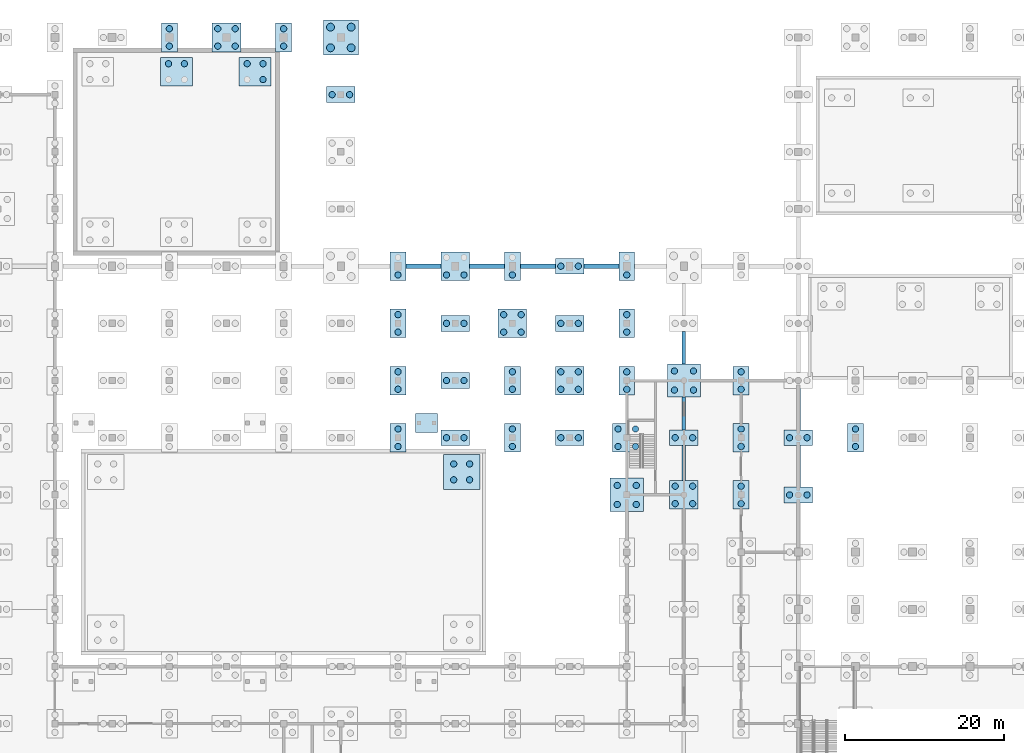
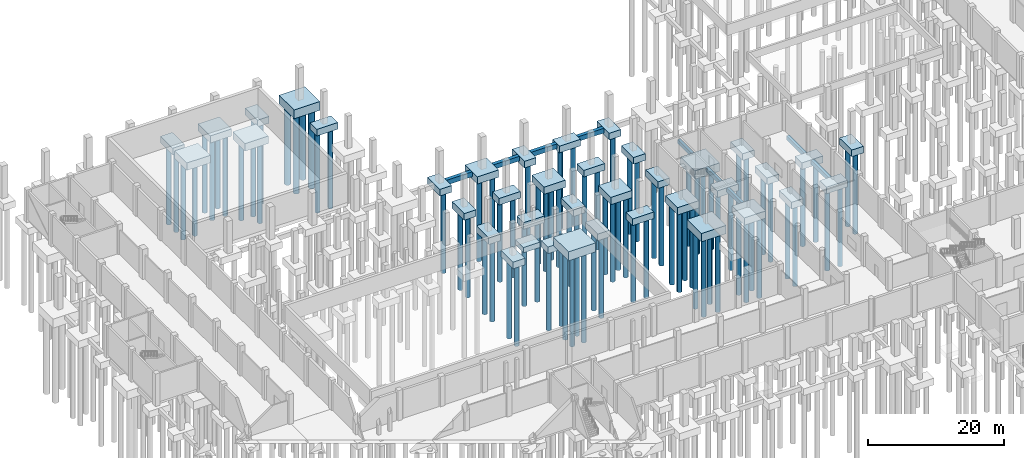
# One storey, part 5 of 35: 92 piles, 48 footings.
"""IFC4 building model written with IfcOpenShell, lengths in metres."""

from ifc_helpers import new_model, si_unit, direction, frame, origin, origin_2d, place, context, subcontext, project, spatial, polyline, rectangle, circle, outline, extrude, material, material_profile, profile_set, type_object, element, save


model = new_model("IFC4")

# Units and contexts
model_context = context("Model", 3, precision=1e-05, world=origin(), true_north=direction((0.0, 1.0)))
body_context = subcontext(model_context, "Body", "Model", "MODEL_VIEW")
ifc_project = project(units=[si_unit("LENGTHUNIT", "METRE"), si_unit("AREAUNIT", "SQUARE_METRE"), si_unit("VOLUMEUNIT", "CUBIC_METRE"), si_unit("PLANEANGLEUNIT", "RADIAN"), si_unit("MASSUNIT", "GRAM", prefix="KILO")], contexts=[model_context])

# Site, building, storey
site_placement = place(None, origin())
site = spatial("IfcSite", under=ifc_project, at=site_placement, CompositionType="ELEMENT")
building_placement = place(site_placement, origin())
building = spatial("IfcBuilding", under=site, at=building_placement, Name="Vesperath Aquatics Centre", CompositionType="ELEMENT")
storey_placement = place(building_placement, frame((0.0, 0.0, -5.39990234375)))
storey = spatial("IfcBuildingStorey", under=building, at=storey_placement, Name="B1", CompositionType="ELEMENT", Elevation=-5.39990234375)

# Footings
ifc_material_1 = material(Name="Concrete C40", Category="concrete")
footing_type_1 = type_object("IfcFootingType", Name="FT-GB01", PredefinedType="FOOTING_BEAM", material=ifc_material_1)
footing_1_placement = place(storey_placement, frame((0.0, 0.0, -1.150146484375)))
element("IfcFooting", 1, at=footing_1_placement, inside=storey, type_object=footing_type_1, Name="Foundation Ground Beam GB01 15 J-K", PredefinedType="FOOTING_BEAM", context=body_context, shape_type="SweptSolid", body=[
    extrude(outline(polyline([(100.574951171875, 59.39990234375), (101.02490234375, 59.39990234375), (101.02490234375, 63.800048828125), (100.574951171875, 63.800048828125), (100.574951171875, 59.39990234375)])), origin(), (0.0, 0.0, 1.0), 0.699951171875),
])
footing_2_placement = place(storey_placement, frame((0.0, 0.0, -1.150146484375)))
element("IfcFooting", 2, at=footing_2_placement, inside=storey, type_object=footing_type_1, Name="Foundation Ground Beam GB01 15 K-L", PredefinedType="FOOTING_BEAM", context=body_context, shape_type="SweptSolid", body=[
    extrude(outline(polyline([(100.574951171875, 65.800048828125), (101.02490234375, 65.800048828125), (101.02490234375, 69.89990234375), (100.574951171875, 69.89990234375), (100.574951171875, 65.800048828125)])), origin(), (0.0, 0.0, 1.0), 0.699951171875),
])
footing_3_placement = place(storey_placement, frame((0.0, 0.0, -1.150146484375)))
element("IfcFooting", 3, at=footing_3_placement, inside=storey, type_object=footing_type_1, Name="Foundation Ground Beam GB01 15 L-M", PredefinedType="FOOTING_BEAM", context=body_context, shape_type="SweptSolid", body=[
    extrude(outline(polyline([(100.574951171875, 74.10009765625), (101.02490234375, 74.10009765625), (101.02490234375, 78.199951171875), (100.574951171875, 78.199951171875), (100.574951171875, 74.10009765625)])), origin(), (0.0, 0.0, 1.0), 0.699951171875),
])
footing_type_2 = type_object("IfcFootingType", Name="FT-GB02", PredefinedType="FOOTING_BEAM", material=ifc_material_1)
footing_4_placement = place(storey_placement, frame((0.0, 0.0, -1.2001953125)))
element("IfcFooting", 4, at=footing_4_placement, inside=storey, type_object=footing_type_2, Name="Foundation Ground Beam GB02 17 J-K", PredefinedType="FOOTING_BEAM", context=body_context, shape_type="SweptSolid", body=[
    extrude(outline(polyline([(114.949951171875, 58.60009765625), (115.449951171875, 58.60009765625), (115.449951171875, 63.800048828125), (114.949951171875, 63.800048828125), (114.949951171875, 58.60009765625)])), origin(), (0.0, 0.0, 1.0), 0.75),
])
footing_5_placement = place(storey_placement, frame((0.0, 0.0, -1.2001953125)))
element("IfcFooting", 5, at=footing_5_placement, inside=storey, type_object=footing_type_2, Name="Foundation Ground Beam GB02 17 K-L", PredefinedType="FOOTING_BEAM", context=body_context, shape_type="SweptSolid", body=[
    extrude(outline(polyline([(114.949951171875, 65.800048828125), (115.449951171875, 65.800048828125), (115.449951171875, 71.0), (114.949951171875, 71.0), (114.949951171875, 65.800048828125)])), origin(), (0.0, 0.0, 1.0), 0.75),
])
footing_type_3 = type_object("IfcFootingType", Name="FT-GB03", PredefinedType="FOOTING_BEAM", material=ifc_material_1)
footing_6_placement = place(storey_placement, frame((0.0, 0.0, -1.300048828125)))
element("IfcFooting", 6, at=footing_6_placement, inside=storey, type_object=footing_type_3, Name="Foundation Ground Beam GB03 N 10-11", PredefinedType="FOOTING_BEAM", context=body_context, shape_type="SweptSolid", body=[
    extrude(outline(polyline([(65.800048828125, 86.10009765625), (70.199951171875, 86.10009765625), (70.199951171875, 86.699951171875), (65.800048828125, 86.699951171875), (65.800048828125, 86.10009765625)])), origin(), (0.0, 0.0, 1.0), 0.849853515625),
])
footing_7_placement = place(storey_placement, frame((0.0, 0.0, -1.300048828125)))
element("IfcFooting", 7, at=footing_7_placement, inside=storey, type_object=footing_type_3, Name="Foundation Ground Beam GB03 N 11-12", PredefinedType="FOOTING_BEAM", context=body_context, shape_type="SweptSolid", body=[
    extrude(outline(polyline([(73.800048828125, 86.10009765625), (78.199951171875, 86.10009765625), (78.199951171875, 86.699951171875), (73.800048828125, 86.699951171875), (73.800048828125, 86.10009765625)])), origin(), (0.0, 0.0, 1.0), 0.849853515625),
])
footing_8_placement = place(storey_placement, frame((0.0, 0.0, -1.300048828125)))
element("IfcFooting", 8, at=footing_8_placement, inside=storey, type_object=footing_type_3, Name="Foundation Ground Beam GB03 N 12-13", PredefinedType="FOOTING_BEAM", context=body_context, shape_type="SweptSolid", body=[
    extrude(outline(polyline([(80.199951171875, 86.10009765625), (84.60009765625, 86.10009765625), (84.60009765625, 86.699951171875), (80.199951171875, 86.699951171875), (80.199951171875, 86.10009765625)])), origin(), (0.0, 0.0, 1.0), 0.849853515625),
])
footing_9_placement = place(storey_placement, frame((0.0, 0.0, -1.300048828125)))
element("IfcFooting", 9, at=footing_9_placement, inside=storey, type_object=footing_type_3, Name="Foundation Ground Beam GB03 N 13-14", PredefinedType="FOOTING_BEAM", context=body_context, shape_type="SweptSolid", body=[
    extrude(outline(polyline([(88.199951171875, 86.10009765625), (92.60009765625, 86.10009765625), (92.60009765625, 86.699951171875), (88.199951171875, 86.699951171875), (88.199951171875, 86.10009765625)])), origin(), (0.0, 0.0, 1.0), 0.849853515625),
])
footing_type_4 = type_object("IfcFootingType", Name="FT-PC01", PredefinedType="PILE_CAP", material=ifc_material_1)
for number, where, z_axis, x_axis, name in (
    (10, (57.60009765625, 108.0, -1.64990234375), (0.0, 0.0, 1.0), (1.0, 0.0, 0.0), "Pile Cap PC01 at 9/R"),
    (11, (72.0, 64.800048828125, -1.64990234375), (0.0, 0.0, 1.0), (1.0, 0.0, 0.0), "Pile Cap PC01 at 11/K"),
    (12, (72.0, 72.0, -1.64990234375), (0.0, 0.0, 1.0), (1.0, 0.0, 0.0), "Pile Cap PC01 at 11/L"),
    (13, (72.0, 79.199951171875, -1.64990234375), (0.0, 0.0, 1.0), (1.0, 0.0, 0.0), "Pile Cap PC01 at 11/M"),
    (14, (86.39990234375, 64.800048828125, -1.64990234375), (0.0, 0.0, 1.0), (1.0, 0.0, 0.0), "Pile Cap PC01 at 13/K"),
    (15, (86.39990234375, 79.199951171875, -1.64990234375), (0.0, 0.0, 1.0), (1.0, 0.0, 0.0), "Pile Cap PC01 at 13/M"),
    (16, (86.39990234375, 86.39990234375, -1.64990234375), (0.0, 0.0, 1.0), (1.0, 0.0, 0.0), "Pile Cap PC01 at 13/N"),
    (17, (100.800048828125, 64.800048828125, -1.64990234375), (0.0, 0.0, 1.0), (1.0, 0.0, 0.0), "Pile Cap PC01 at 15/K"),
    (18, (115.199951171875, 57.60009765625, -1.64990234375), (0.0, 0.0, 1.0), (1.0, 0.0, 0.0), "Pile Cap PC01 at 17/J"),
    (19, (115.199951171875, 64.800048828125, -1.64990234375), (0.0, 0.0, 1.0), (1.0, 0.0, 0.0), "Pile Cap PC01 at 17/K"),
):
    element("IfcFooting", number, at=place(storey_placement, frame(where, z_axis=z_axis, x_axis=x_axis)), inside=storey, type_object=footing_type_4, Name=name, PredefinedType="PILE_CAP", context=body_context, shape_type="SweptSolid", body=[
        extrude(rectangle(XDim=3.60009765625, YDim=2.0, at=origin_2d()), origin(), (0.0, 0.0, 1.0), 1.199951171875),
    ])
footing_type_5 = type_object("IfcFootingType", Name="FT-PC02", PredefinedType="PILE_CAP", material=ifc_material_1)
for number, where, z_axis, x_axis, name in (
    (20, (36.0, 115.199951171875, -1.64990234375), (0.0, 0.0, 1.0), (1.0, 0.0, 0.0), "Pile Cap PC02 at 6/S"),
    (21, (50.39990234375, 115.199951171875, -1.64990234375), (0.0, 0.0, 1.0), (1.0, 0.0, 0.0), "Pile Cap PC02 at 8/S"),
    (22, (64.800048828125, 64.800048828125, -1.64990234375), (0.0, 0.0, 1.0), (1.0, 0.0, 0.0), "Pile Cap PC02 at 10/K"),
    (23, (64.800048828125, 72.0, -1.64990234375), (0.0, 0.0, 1.0), (1.0, 0.0, 0.0), "Pile Cap PC02 at 10/L"),
    (24, (64.800048828125, 79.199951171875, -1.64990234375), (0.0, 0.0, 1.0), (1.0, 0.0, 0.0), "Pile Cap PC02 at 10/M"),
    (25, (64.800048828125, 86.39990234375, -1.64990234375), (0.0, 0.0, 1.0), (1.0, 0.0, 0.0), "Pile Cap PC02 at 10/N"),
    (26, (79.199951171875, 64.800048828125, -1.64990234375), (0.0, 0.0, 1.0), (1.0, 0.0, 0.0), "Pile Cap PC02 at 12/K"),
    (27, (79.199951171875, 72.0, -1.64990234375), (0.0, 0.0, 1.0), (1.0, 0.0, 0.0), "Pile Cap PC02 at 12/L"),
    (28, (79.199951171875, 86.39990234375, -1.64990234375), (0.0, 0.0, 1.0), (1.0, 0.0, 0.0), "Pile Cap PC02 at 12/N"),
    (29, (93.60009765625, 72.0, -1.64990234375), (0.0, 0.0, 1.0), (1.0, 0.0, 0.0), "Pile Cap PC02 at 14/L"),
    (30, (93.60009765625, 79.199951171875, -1.64990234375), (0.0, 0.0, 1.0), (1.0, 0.0, 0.0), "Pile Cap PC02 at 14/M"),
    (31, (93.60009765625, 86.39990234375, -1.64990234375), (0.0, 0.0, 1.0), (1.0, 0.0, 0.0), "Pile Cap PC02 at 14/N"),
    (32, (108.0, 57.60009765625, -1.64990234375), (0.0, 0.0, 1.0), (1.0, 0.0, 0.0), "Pile Cap PC02 at 16/J"),
    (33, (108.0, 64.800048828125, -1.64990234375), (0.0, 0.0, 1.0), (1.0, 0.0, 0.0), "Pile Cap PC02 at 16/K"),
    (34, (108.0, 72.0, -1.64990234375), (0.0, 0.0, 1.0), (1.0, 0.0, 0.0), "Pile Cap PC02 at 16/L"),
    (35, (122.39990234375, 64.800048828125, -1.64990234375), (0.0, 0.0, 1.0), (1.0, 0.0, 0.0), "Pile Cap PC02 at 18/K"),
):
    element("IfcFooting", number, at=place(storey_placement, frame(where, z_axis=z_axis, x_axis=x_axis)), inside=storey, type_object=footing_type_5, Name=name, PredefinedType="PILE_CAP", context=body_context, shape_type="SweptSolid", body=[
        extrude(rectangle(XDim=2.0, YDim=3.60009765625, at=origin_2d()), origin(), (0.0, 0.0, 1.0), 1.199951171875),
    ])
footing_type_6 = type_object("IfcFootingType", Name="FT-PC03", PredefinedType="PILE_CAP", material=ifc_material_1)
for number, where, z_axis, x_axis, name in (
    (36, (43.199951171875, 115.199951171875, -1.75), (0.0, 0.0, 1.0), (1.0, 0.0, 0.0), "Pile Cap PC03 at 7/S"),
    (37, (72.0, 86.39990234375, -1.75), (0.0, 0.0, 1.0), (1.0, 0.0, 0.0), "Pile Cap PC03 at 11/N"),
    (38, (79.199951171875, 79.199951171875, -1.75), (0.0, 0.0, 1.0), (1.0, 0.0, 0.0), "Pile Cap PC03 at 12/M"),
    (39, (86.39990234375, 72.0, -1.75), (0.0, 0.0, 1.0), (1.0, 0.0, 0.0), "Pile Cap PC03 at 13/L"),
    (40, (93.60009765625, 64.800048828125, -1.75), (0.0, 0.0, 1.0), (1.0, 0.0, 0.0), "Pile Cap PC03 at 14/K"),
    (41, (100.800048828125, 57.60009765625, -1.75), (0.0, 0.0, 1.0), (1.0, 0.0, 0.0), "Pile Cap PC03 at 15/J"),
):
    element("IfcFooting", number, at=place(storey_placement, frame(where, z_axis=z_axis, x_axis=x_axis)), inside=storey, type_object=footing_type_6, Name=name, PredefinedType="PILE_CAP", context=body_context, shape_type="SweptSolid", body=[
        extrude(rectangle(XDim=3.60009765625, YDim=3.60009765625, at=origin_2d()), origin(), (0.0, 0.0, 1.0), 1.300048828125),
    ])
footing_type_7 = type_object("IfcFootingType", Name="FT-PC06", PredefinedType="PILE_CAP", material=ifc_material_1)
for number, where, z_axis, x_axis, name in (
    (42, (93.60009765625, 57.60009765625, -1.9501953125), (0.0, 0.0, 1.0), (1.0, 0.0, 0.0), "Pile Cap PC06 at 14/J"),
    (43, (100.800048828125, 72.0, -1.9501953125), (0.0, 0.0, 1.0), (1.0, 0.0, 0.0), "Pile Cap PC06 at 15/L"),
):
    element("IfcFooting", number, at=place(storey_placement, frame(where, z_axis=z_axis, x_axis=x_axis)), inside=storey, type_object=footing_type_7, Name=name, PredefinedType="PILE_CAP", context=body_context, shape_type="SweptSolid", body=[
        extrude(rectangle(XDim=4.199951171875, YDim=4.199951171875, at=origin_2d()), origin(), (0.0, 0.0, 1.0), 1.5),
    ])
footing_type_8 = type_object("IfcFootingType", Name="FT-PC07", PredefinedType="PILE_CAP", material=ifc_material_1)
footing_10_placement = place(storey_placement, frame((57.60009765625, 115.199951171875, -2.050048828125), z_axis=(0.0, 0.0, 1.0), x_axis=(1.0, 0.0, 0.0)))
element("IfcFooting", 44, at=footing_10_placement, inside=storey, type_object=footing_type_8, Name="Pile Cap PC07 at 9/S", PredefinedType="PILE_CAP", context=body_context, shape_type="SweptSolid", body=[
    extrude(rectangle(XDim=4.39990234375, YDim=4.39990234375, at=origin_2d()), origin(), (0.0, 0.0, 1.0), 1.60009765625),
])
footing_type_9 = type_object("IfcFootingType", Name="FT-PC08", PredefinedType="PILE_CAP", material=ifc_material_1)
footing_11_placement = place(storey_placement, frame((72.81005859375, 60.5, 0.2998046875), z_axis=(0.0, 0.0, 1.0), x_axis=(1.0, 0.0, 0.0)))
element("IfcFooting", 45, at=footing_11_placement, inside=storey, type_object=footing_type_9, Name="Competition Swimming Pool Sub-Basin Pile Cap PC08-4", PredefinedType="PILE_CAP", context=body_context, shape_type="SweptSolid", body=[
    extrude(rectangle(XDim=4.60009765625, YDim=4.39990234375, at=origin_2d()), origin(), (0.0, 0.0, 1.0), 1.60009765625),
])
footing_type_10 = type_object("IfcFootingType", Name="FT-PC09", PredefinedType="PILE_CAP", material=ifc_material_1)
for number, where, z_axis, x_axis, name in (
    (46, (36.89990234375, 110.89990234375, -1.800048828125), (0.0, 0.0, 1.0), (1.0, 0.0, 0.0), "Diving Pool Well Sub-Basin Pile Cap PC09-4"),
    (47, (46.800048828125, 110.89990234375, -1.800048828125), (0.0, 0.0, 1.0), (1.0, 0.0, 0.0), "Diving Pool Well Sub-Basin Pile Cap PC09-6"),
):
    element("IfcFooting", number, at=place(storey_placement, frame(where, z_axis=z_axis, x_axis=x_axis)), inside=storey, type_object=footing_type_10, Name=name, PredefinedType="PILE_CAP", context=body_context, shape_type="SweptSolid", body=[
        extrude(rectangle(XDim=4.0, YDim=3.60009765625, at=origin_2d()), origin(), (0.0, 0.0, 1.0), 1.35009765625),
    ])
footing_type_11 = type_object("IfcFootingType", Name="FT-PF03", PredefinedType="PAD_FOOTING", material=ifc_material_1)
footing_12_placement = place(storey_placement, frame((68.39990234375, 66.679931640625, -1.39990234375), z_axis=(0.0, 0.0, 1.0), x_axis=(1.0, 0.0, 0.0)))
element("IfcFooting", 48, at=footing_12_placement, inside=storey, type_object=footing_type_11, Name="Vomitory VOM-06 Portal Pad Footing PF03", PredefinedType="PAD_FOOTING", context=body_context, shape_type="SweptSolid", body=[
    extrude(rectangle(XDim=2.800048828125, YDim=2.39990234375, at=origin_2d()), origin(), (0.0, 0.0, 1.0), 0.949951171875),
])

# Piles
ifc_material_2 = material(Name="Concrete C35", Category="concrete")
ifc_material_profile_1 = material_profile(ifc_material_2, circle(Radius=0.39990234375, at=origin_2d()), Name="PILE D800")
ifc_profile_set_1 = profile_set([ifc_material_profile_1], Name="Concrete C35")
pile_type_1 = type_object("IfcPileType", Name="PL-BP01", PredefinedType="BORED", material=ifc_profile_set_1)
for number, where, z_axis, x_axis, name in (
    (49, (36.0, 114.10009765625, -1.5), (0.0, 0.0, -1.0), (1.0, 0.0, 0.0), "Bored Pile BP01 CAP_05_16-1"),
    (50, (36.0, 116.300048828125, -1.5), (0.0, 0.0, -1.0), (1.0, 0.0, 0.0), "Bored Pile BP01 CAP_05_16-2"),
):
    element("IfcPile", number, at=place(storey_placement, frame(where, z_axis=z_axis, x_axis=x_axis)), inside=storey, type_object=pile_type_1, Name=name, PredefinedType="BORED", context=body_context, shape_type="SweptSolid", body=[
        extrude(circle(Radius=0.39990234375, at=origin_2d()), origin(), (0.0, 0.0, 1.0), 14.60009765625),
    ])
for number, where, z_axis, x_axis, name in (
    (51, (42.10009765625, 114.10009765625, -1.60009765625), (0.0, 0.0, -1.0), (1.0, 0.0, 0.0), "Bored Pile BP01 CAP_06_16-1"),
    (52, (44.300048828125, 114.10009765625, -1.60009765625), (0.0, 0.0, -1.0), (1.0, 0.0, 0.0), "Bored Pile BP01 CAP_06_16-2"),
    (53, (42.10009765625, 116.300048828125, -1.60009765625), (0.0, 0.0, -1.0), (1.0, 0.0, 0.0), "Bored Pile BP01 CAP_06_16-3"),
    (54, (44.300048828125, 116.300048828125, -1.60009765625), (0.0, 0.0, -1.0), (1.0, 0.0, 0.0), "Bored Pile BP01 CAP_06_16-4"),
):
    element("IfcPile", number, at=place(storey_placement, frame(where, z_axis=z_axis, x_axis=x_axis)), inside=storey, type_object=pile_type_1, Name=name, PredefinedType="BORED", context=body_context, shape_type="SweptSolid", body=[
        extrude(circle(Radius=0.39990234375, at=origin_2d()), origin(), (0.0, 0.0, 1.0), 14.5),
    ])
for number, where, z_axis, x_axis, name in (
    (55, (50.39990234375, 114.10009765625, -1.5), (0.0, 0.0, -1.0), (1.0, 0.0, 0.0), "Bored Pile BP01 CAP_07_16-1"),
    (56, (50.39990234375, 116.300048828125, -1.5), (0.0, 0.0, -1.0), (1.0, 0.0, 0.0), "Bored Pile BP01 CAP_07_16-2"),
    (57, (56.5, 108.0, -1.5), (0.0, 0.0, -1.0), (1.0, 0.0, 0.0), "Bored Pile BP01 CAP_08_15-1"),
    (58, (58.699951171875, 108.0, -1.5), (0.0, 0.0, -1.0), (1.0, 0.0, 0.0), "Bored Pile BP01 CAP_08_15-2"),
    (59, (64.800048828125, 63.699951171875, -1.5), (0.0, 0.0, -1.0), (1.0, 0.0, 0.0), "Bored Pile BP01 CAP_09_09-1"),
    (60, (64.800048828125, 65.89990234375, -1.5), (0.0, 0.0, -1.0), (1.0, 0.0, 0.0), "Bored Pile BP01 CAP_09_09-2"),
    (61, (64.800048828125, 70.89990234375, -1.5), (0.0, 0.0, -1.0), (1.0, 0.0, 0.0), "Bored Pile BP01 CAP_09_10-1"),
    (62, (64.800048828125, 73.10009765625, -1.5), (0.0, 0.0, -1.0), (1.0, 0.0, 0.0), "Bored Pile BP01 CAP_09_10-2"),
    (63, (64.800048828125, 78.10009765625, -1.5), (0.0, 0.0, -1.0), (1.0, 0.0, 0.0), "Bored Pile BP01 CAP_09_11-1"),
    (64, (64.800048828125, 80.300048828125, -1.5), (0.0, 0.0, -1.0), (1.0, 0.0, 0.0), "Bored Pile BP01 CAP_09_11-2"),
    (65, (64.800048828125, 85.300048828125, -1.5), (0.0, 0.0, -1.0), (1.0, 0.0, 0.0), "Bored Pile BP01 CAP_09_12-1"),
    (66, (70.89990234375, 64.800048828125, -1.5), (0.0, 0.0, -1.0), (1.0, 0.0, 0.0), "Bored Pile BP01 CAP_10_09-1"),
    (67, (73.10009765625, 64.800048828125, -1.5), (0.0, 0.0, -1.0), (1.0, 0.0, 0.0), "Bored Pile BP01 CAP_10_09-2"),
    (68, (70.89990234375, 72.0, -1.5), (0.0, 0.0, -1.0), (1.0, 0.0, 0.0), "Bored Pile BP01 CAP_10_10-1"),
    (69, (73.10009765625, 72.0, -1.5), (0.0, 0.0, -1.0), (1.0, 0.0, 0.0), "Bored Pile BP01 CAP_10_10-2"),
    (70, (70.89990234375, 79.199951171875, -1.5), (0.0, 0.0, -1.0), (1.0, 0.0, 0.0), "Bored Pile BP01 CAP_10_11-1"),
    (71, (73.10009765625, 79.199951171875, -1.5), (0.0, 0.0, -1.0), (1.0, 0.0, 0.0), "Bored Pile BP01 CAP_10_11-2"),
):
    element("IfcPile", number, at=place(storey_placement, frame(where, z_axis=z_axis, x_axis=x_axis)), inside=storey, type_object=pile_type_1, Name=name, PredefinedType="BORED", context=body_context, shape_type="SweptSolid", body=[
        extrude(circle(Radius=0.39990234375, at=origin_2d()), origin(), (0.0, 0.0, 1.0), 14.60009765625),
    ])
for number, where, z_axis, x_axis, name in (
    (72, (70.89990234375, 85.300048828125, -1.60009765625), (0.0, 0.0, -1.0), (1.0, 0.0, 0.0), "Bored Pile BP01 CAP_10_12-1"),
    (73, (73.10009765625, 85.300048828125, -1.60009765625), (0.0, 0.0, -1.0), (1.0, 0.0, 0.0), "Bored Pile BP01 CAP_10_12-2"),
):
    element("IfcPile", number, at=place(storey_placement, frame(where, z_axis=z_axis, x_axis=x_axis)), inside=storey, type_object=pile_type_1, Name=name, PredefinedType="BORED", context=body_context, shape_type="SweptSolid", body=[
        extrude(circle(Radius=0.39990234375, at=origin_2d()), origin(), (0.0, 0.0, 1.0), 14.5),
    ])
for number, where, z_axis, x_axis, name in (
    (74, (79.199951171875, 63.699951171875, -1.5), (0.0, 0.0, -1.0), (1.0, 0.0, 0.0), "Bored Pile BP01 CAP_11_09-1"),
    (75, (79.199951171875, 65.89990234375, -1.5), (0.0, 0.0, -1.0), (1.0, 0.0, 0.0), "Bored Pile BP01 CAP_11_09-2"),
    (76, (79.199951171875, 70.89990234375, -1.5), (0.0, 0.0, -1.0), (1.0, 0.0, 0.0), "Bored Pile BP01 CAP_11_10-1"),
    (77, (79.199951171875, 73.10009765625, -1.5), (0.0, 0.0, -1.0), (1.0, 0.0, 0.0), "Bored Pile BP01 CAP_11_10-2"),
):
    element("IfcPile", number, at=place(storey_placement, frame(where, z_axis=z_axis, x_axis=x_axis)), inside=storey, type_object=pile_type_1, Name=name, PredefinedType="BORED", context=body_context, shape_type="SweptSolid", body=[
        extrude(circle(Radius=0.39990234375, at=origin_2d()), origin(), (0.0, 0.0, 1.0), 14.60009765625),
    ])
for number, where, z_axis, x_axis, name in (
    (78, (78.10009765625, 78.10009765625, -1.60009765625), (0.0, 0.0, -1.0), (1.0, 0.0, 0.0), "Bored Pile BP01 CAP_11_11-1"),
    (79, (80.300048828125, 78.10009765625, -1.60009765625), (0.0, 0.0, -1.0), (1.0, 0.0, 0.0), "Bored Pile BP01 CAP_11_11-2"),
    (80, (78.10009765625, 80.300048828125, -1.60009765625), (0.0, 0.0, -1.0), (1.0, 0.0, 0.0), "Bored Pile BP01 CAP_11_11-3"),
    (81, (80.300048828125, 80.300048828125, -1.60009765625), (0.0, 0.0, -1.0), (1.0, 0.0, 0.0), "Bored Pile BP01 CAP_11_11-4"),
):
    element("IfcPile", number, at=place(storey_placement, frame(where, z_axis=z_axis, x_axis=x_axis)), inside=storey, type_object=pile_type_1, Name=name, PredefinedType="BORED", context=body_context, shape_type="SweptSolid", body=[
        extrude(circle(Radius=0.39990234375, at=origin_2d()), origin(), (0.0, 0.0, 1.0), 14.5),
    ])
for number, where, z_axis, x_axis, name in (
    (82, (79.199951171875, 85.300048828125, -1.5), (0.0, 0.0, -1.0), (1.0, 0.0, 0.0), "Bored Pile BP01 CAP_11_12-1"),
    (83, (85.300048828125, 64.800048828125, -1.5), (0.0, 0.0, -1.0), (1.0, 0.0, 0.0), "Bored Pile BP01 CAP_12_09-1"),
    (84, (87.5, 64.800048828125, -1.5), (0.0, 0.0, -1.0), (1.0, 0.0, 0.0), "Bored Pile BP01 CAP_12_09-2"),
):
    element("IfcPile", number, at=place(storey_placement, frame(where, z_axis=z_axis, x_axis=x_axis)), inside=storey, type_object=pile_type_1, Name=name, PredefinedType="BORED", context=body_context, shape_type="SweptSolid", body=[
        extrude(circle(Radius=0.39990234375, at=origin_2d()), origin(), (0.0, 0.0, 1.0), 14.60009765625),
    ])
for number, where, z_axis, x_axis, name in (
    (85, (85.300048828125, 70.89990234375, -1.60009765625), (0.0, 0.0, -1.0), (1.0, 0.0, 0.0), "Bored Pile BP01 CAP_12_10-1"),
    (86, (87.5, 70.89990234375, -1.60009765625), (0.0, 0.0, -1.0), (1.0, 0.0, 0.0), "Bored Pile BP01 CAP_12_10-2"),
    (87, (85.300048828125, 73.10009765625, -1.60009765625), (0.0, 0.0, -1.0), (1.0, 0.0, 0.0), "Bored Pile BP01 CAP_12_10-3"),
    (88, (87.5, 73.10009765625, -1.60009765625), (0.0, 0.0, -1.0), (1.0, 0.0, 0.0), "Bored Pile BP01 CAP_12_10-4"),
):
    element("IfcPile", number, at=place(storey_placement, frame(where, z_axis=z_axis, x_axis=x_axis)), inside=storey, type_object=pile_type_1, Name=name, PredefinedType="BORED", context=body_context, shape_type="SweptSolid", body=[
        extrude(circle(Radius=0.39990234375, at=origin_2d()), origin(), (0.0, 0.0, 1.0), 14.5),
    ])
for number, where, z_axis, x_axis, name in (
    (89, (85.300048828125, 79.199951171875, -1.5), (0.0, 0.0, -1.0), (1.0, 0.0, 0.0), "Bored Pile BP01 CAP_12_11-1"),
    (90, (87.5, 79.199951171875, -1.5), (0.0, 0.0, -1.0), (1.0, 0.0, 0.0), "Bored Pile BP01 CAP_12_11-2"),
    (91, (85.300048828125, 86.39990234375, -1.5), (0.0, 0.0, -1.0), (1.0, 0.0, 0.0), "Bored Pile BP01 CAP_12_12-1"),
    (92, (87.5, 86.39990234375, -1.5), (0.0, 0.0, -1.0), (1.0, 0.0, 0.0), "Bored Pile BP01 CAP_12_12-2"),
):
    element("IfcPile", number, at=place(storey_placement, frame(where, z_axis=z_axis, x_axis=x_axis)), inside=storey, type_object=pile_type_1, Name=name, PredefinedType="BORED", context=body_context, shape_type="SweptSolid", body=[
        extrude(circle(Radius=0.39990234375, at=origin_2d()), origin(), (0.0, 0.0, 1.0), 14.60009765625),
    ])
for number, where, z_axis, x_axis, name in (
    (93, (92.39990234375, 56.39990234375, -1.800048828125), (0.0, 0.0, -1.0), (1.0, 0.0, 0.0), "Bored Pile BP01 CAP_13_08-1"),
    (94, (94.800048828125, 56.39990234375, -1.800048828125), (0.0, 0.0, -1.0), (1.0, 0.0, 0.0), "Bored Pile BP01 CAP_13_08-2"),
    (95, (92.39990234375, 58.800048828125, -1.800048828125), (0.0, 0.0, -1.0), (1.0, 0.0, 0.0), "Bored Pile BP01 CAP_13_08-3"),
    (96, (94.800048828125, 58.800048828125, -1.800048828125), (0.0, 0.0, -1.0), (1.0, 0.0, 0.0), "Bored Pile BP01 CAP_13_08-4"),
):
    element("IfcPile", number, at=place(storey_placement, frame(where, z_axis=z_axis, x_axis=x_axis)), inside=storey, type_object=pile_type_1, Name=name, PredefinedType="BORED", context=body_context, shape_type="SweptSolid", body=[
        extrude(circle(Radius=0.39990234375, at=origin_2d()), origin(), (0.0, 0.0, 1.0), 14.300048828125),
    ])
for number, where, z_axis, x_axis, name in (
    (97, (92.5, 63.699951171875, -1.60009765625), (0.0, 0.0, -1.0), (1.0, 0.0, 0.0), "Bored Pile BP01 CAP_13_09-1"),
    (98, (94.699951171875, 63.699951171875, -1.60009765625), (0.0, 0.0, -1.0), (1.0, 0.0, 0.0), "Bored Pile BP01 CAP_13_09-2"),
    (99, (92.5, 65.89990234375, -1.60009765625), (0.0, 0.0, -1.0), (1.0, 0.0, 0.0), "Bored Pile BP01 CAP_13_09-3"),
    (100, (94.699951171875, 65.89990234375, -1.60009765625), (0.0, 0.0, -1.0), (1.0, 0.0, 0.0), "Bored Pile BP01 CAP_13_09-4"),
):
    element("IfcPile", number, at=place(storey_placement, frame(where, z_axis=z_axis, x_axis=x_axis)), inside=storey, type_object=pile_type_1, Name=name, PredefinedType="BORED", context=body_context, shape_type="SweptSolid", body=[
        extrude(circle(Radius=0.39990234375, at=origin_2d()), origin(), (0.0, 0.0, 1.0), 14.5),
    ])
for number, where, z_axis, x_axis, name in (
    (101, (93.60009765625, 70.89990234375, -1.5), (0.0, 0.0, -1.0), (1.0, 0.0, 0.0), "Bored Pile BP01 CAP_13_10-1"),
    (102, (93.60009765625, 73.10009765625, -1.5), (0.0, 0.0, -1.0), (1.0, 0.0, 0.0), "Bored Pile BP01 CAP_13_10-2"),
    (103, (93.60009765625, 78.10009765625, -1.5), (0.0, 0.0, -1.0), (1.0, 0.0, 0.0), "Bored Pile BP01 CAP_13_11-1"),
    (104, (93.60009765625, 80.300048828125, -1.5), (0.0, 0.0, -1.0), (1.0, 0.0, 0.0), "Bored Pile BP01 CAP_13_11-2"),
    (105, (93.60009765625, 85.300048828125, -1.5), (0.0, 0.0, -1.0), (1.0, 0.0, 0.0), "Bored Pile BP01 CAP_13_12-1"),
):
    element("IfcPile", number, at=place(storey_placement, frame(where, z_axis=z_axis, x_axis=x_axis)), inside=storey, type_object=pile_type_1, Name=name, PredefinedType="BORED", context=body_context, shape_type="SweptSolid", body=[
        extrude(circle(Radius=0.39990234375, at=origin_2d()), origin(), (0.0, 0.0, 1.0), 14.60009765625),
    ])
for number, where, z_axis, x_axis, name in (
    (106, (99.699951171875, 56.5, -1.60009765625), (0.0, 0.0, -1.0), (1.0, 0.0, 0.0), "Bored Pile BP01 CAP_14_08-1"),
    (107, (101.89990234375, 56.5, -1.60009765625), (0.0, 0.0, -1.0), (1.0, 0.0, 0.0), "Bored Pile BP01 CAP_14_08-2"),
    (108, (99.699951171875, 58.699951171875, -1.60009765625), (0.0, 0.0, -1.0), (1.0, 0.0, 0.0), "Bored Pile BP01 CAP_14_08-3"),
    (109, (101.89990234375, 58.699951171875, -1.60009765625), (0.0, 0.0, -1.0), (1.0, 0.0, 0.0), "Bored Pile BP01 CAP_14_08-4"),
):
    element("IfcPile", number, at=place(storey_placement, frame(where, z_axis=z_axis, x_axis=x_axis)), inside=storey, type_object=pile_type_1, Name=name, PredefinedType="BORED", context=body_context, shape_type="SweptSolid", body=[
        extrude(circle(Radius=0.39990234375, at=origin_2d()), origin(), (0.0, 0.0, 1.0), 14.5),
    ])
for number, where, z_axis, x_axis, name in (
    (110, (99.699951171875, 64.800048828125, -1.5), (0.0, 0.0, -1.0), (1.0, 0.0, 0.0), "Bored Pile BP01 CAP_14_09-1"),
    (111, (101.89990234375, 64.800048828125, -1.5), (0.0, 0.0, -1.0), (1.0, 0.0, 0.0), "Bored Pile BP01 CAP_14_09-2"),
):
    element("IfcPile", number, at=place(storey_placement, frame(where, z_axis=z_axis, x_axis=x_axis)), inside=storey, type_object=pile_type_1, Name=name, PredefinedType="BORED", context=body_context, shape_type="SweptSolid", body=[
        extrude(circle(Radius=0.39990234375, at=origin_2d()), origin(), (0.0, 0.0, 1.0), 14.60009765625),
    ])
for number, where, z_axis, x_axis, name in (
    (112, (99.60009765625, 70.800048828125, -1.800048828125), (0.0, 0.0, -1.0), (1.0, 0.0, 0.0), "Bored Pile BP01 CAP_14_10-1"),
    (113, (102.0, 70.800048828125, -1.800048828125), (0.0, 0.0, -1.0), (1.0, 0.0, 0.0), "Bored Pile BP01 CAP_14_10-2"),
    (114, (99.60009765625, 73.199951171875, -1.800048828125), (0.0, 0.0, -1.0), (1.0, 0.0, 0.0), "Bored Pile BP01 CAP_14_10-3"),
    (115, (102.0, 73.199951171875, -1.800048828125), (0.0, 0.0, -1.0), (1.0, 0.0, 0.0), "Bored Pile BP01 CAP_14_10-4"),
):
    element("IfcPile", number, at=place(storey_placement, frame(where, z_axis=z_axis, x_axis=x_axis)), inside=storey, type_object=pile_type_1, Name=name, PredefinedType="BORED", context=body_context, shape_type="SweptSolid", body=[
        extrude(circle(Radius=0.39990234375, at=origin_2d()), origin(), (0.0, 0.0, 1.0), 14.300048828125),
    ])
for number, where, z_axis, x_axis, name in (
    (116, (108.0, 56.5, -1.5), (0.0, 0.0, -1.0), (1.0, 0.0, 0.0), "Bored Pile BP01 CAP_15_08-1"),
    (117, (108.0, 58.699951171875, -1.5), (0.0, 0.0, -1.0), (1.0, 0.0, 0.0), "Bored Pile BP01 CAP_15_08-2"),
    (118, (108.0, 63.699951171875, -1.5), (0.0, 0.0, -1.0), (1.0, 0.0, 0.0), "Bored Pile BP01 CAP_15_09-1"),
    (119, (108.0, 65.89990234375, -1.5), (0.0, 0.0, -1.0), (1.0, 0.0, 0.0), "Bored Pile BP01 CAP_15_09-2"),
    (120, (108.0, 70.89990234375, -1.5), (0.0, 0.0, -1.0), (1.0, 0.0, 0.0), "Bored Pile BP01 CAP_15_10-1"),
    (121, (108.0, 73.10009765625, -1.5), (0.0, 0.0, -1.0), (1.0, 0.0, 0.0), "Bored Pile BP01 CAP_15_10-2"),
    (122, (114.10009765625, 57.60009765625, -1.5), (0.0, 0.0, -1.0), (1.0, 0.0, 0.0), "Bored Pile BP01 CAP_16_08-1"),
    (123, (116.300048828125, 57.60009765625, -1.5), (0.0, 0.0, -1.0), (1.0, 0.0, 0.0), "Bored Pile BP01 CAP_16_08-2"),
    (124, (114.10009765625, 64.800048828125, -1.5), (0.0, 0.0, -1.0), (1.0, 0.0, 0.0), "Bored Pile BP01 CAP_16_09-1"),
    (125, (116.300048828125, 64.800048828125, -1.5), (0.0, 0.0, -1.0), (1.0, 0.0, 0.0), "Bored Pile BP01 CAP_16_09-2"),
    (126, (122.39990234375, 63.699951171875, -1.5), (0.0, 0.0, -1.0), (1.0, 0.0, 0.0), "Bored Pile BP01 CAP_17_09-1"),
    (127, (122.39990234375, 65.89990234375, -1.5), (0.0, 0.0, -1.0), (1.0, 0.0, 0.0), "Bored Pile BP01 CAP_17_09-2"),
):
    element("IfcPile", number, at=place(storey_placement, frame(where, z_axis=z_axis, x_axis=x_axis)), inside=storey, type_object=pile_type_1, Name=name, PredefinedType="BORED", context=body_context, shape_type="SweptSolid", body=[
        extrude(circle(Radius=0.39990234375, at=origin_2d()), origin(), (0.0, 0.0, 1.0), 14.60009765625),
    ])
for number, where, z_axis, x_axis, name in (
    (128, (71.81005859375, 59.5, 0.449951171875), (0.0, 0.0, -1.0), (1.0, 0.0, 0.0), "Bored Pile BP01 CAP_POOL_COMP_04-1"),
    (129, (73.81005859375, 59.5, 0.449951171875), (0.0, 0.0, -1.0), (1.0, 0.0, 0.0), "Bored Pile BP01 CAP_POOL_COMP_04-2"),
    (130, (71.81005859375, 61.5, 0.449951171875), (0.0, 0.0, -1.0), (1.0, 0.0, 0.0), "Bored Pile BP01 CAP_POOL_COMP_04-3"),
    (131, (73.81005859375, 61.5, 0.449951171875), (0.0, 0.0, -1.0), (1.0, 0.0, 0.0), "Bored Pile BP01 CAP_POOL_COMP_04-4"),
):
    element("IfcPile", number, at=place(storey_placement, frame(where, z_axis=z_axis, x_axis=x_axis)), inside=storey, type_object=pile_type_1, Name=name, PredefinedType="BORED", context=body_context, shape_type="SweptSolid", body=[
        extrude(circle(Radius=0.39990234375, at=origin_2d()), origin(), (0.0, 0.0, 1.0), 16.550048828125),
    ])
for number, where, z_axis, x_axis, name in (
    (132, (35.89990234375, 111.89990234375, -1.650146484375), (0.0, 0.0, -1.0), (1.0, 0.0, 0.0), "Bored Pile BP01 CAP_POOL_DIVE_04-3"),
    (133, (37.89990234375, 111.89990234375, -1.650146484375), (0.0, 0.0, -1.0), (1.0, 0.0, 0.0), "Bored Pile BP01 CAP_POOL_DIVE_04-4"),
    (134, (47.800048828125, 109.89990234375, -1.650146484375), (0.0, 0.0, -1.0), (1.0, 0.0, 0.0), "Bored Pile BP01 CAP_POOL_DIVE_06-2"),
    (135, (45.800048828125, 111.89990234375, -1.650146484375), (0.0, 0.0, -1.0), (1.0, 0.0, 0.0), "Bored Pile BP01 CAP_POOL_DIVE_06-3"),
    (136, (47.800048828125, 111.89990234375, -1.650146484375), (0.0, 0.0, -1.0), (1.0, 0.0, 0.0), "Bored Pile BP01 CAP_POOL_DIVE_06-4"),
):
    element("IfcPile", number, at=place(storey_placement, frame(where, z_axis=z_axis, x_axis=x_axis)), inside=storey, type_object=pile_type_1, Name=name, PredefinedType="BORED", context=body_context, shape_type="SweptSolid", body=[
        extrude(circle(Radius=0.39990234375, at=origin_2d()), origin(), (0.0, 0.0, 1.0), 14.449951171875),
    ])
ifc_material_profile_2 = material_profile(ifc_material_2, circle(Radius=0.5, at=origin_2d()), Name="PILE D1000")
ifc_profile_set_2 = profile_set([ifc_material_profile_2], Name="Concrete C35")
pile_type_2 = type_object("IfcPileType", Name="PL-BP02", PredefinedType="BORED", material=ifc_profile_set_2)
for number, where, z_axis, x_axis, name in (
    (137, (56.300048828125, 113.89990234375, -1.900146484375), (0.0, 0.0, -1.0), (1.0, 0.0, 0.0), "Bored Pile BP02 CAP_08_16-1"),
    (138, (58.89990234375, 113.89990234375, -1.900146484375), (0.0, 0.0, -1.0), (1.0, 0.0, 0.0), "Bored Pile BP02 CAP_08_16-2"),
    (139, (56.300048828125, 116.5, -1.900146484375), (0.0, 0.0, -1.0), (1.0, 0.0, 0.0), "Bored Pile BP02 CAP_08_16-3"),
    (140, (58.89990234375, 116.5, -1.900146484375), (0.0, 0.0, -1.0), (1.0, 0.0, 0.0), "Bored Pile BP02 CAP_08_16-4"),
):
    element("IfcPile", number, at=place(storey_placement, frame(where, z_axis=z_axis, x_axis=x_axis)), inside=storey, type_object=pile_type_2, Name=name, PredefinedType="BORED", context=body_context, shape_type="SweptSolid", body=[
        extrude(circle(Radius=0.5, at=origin_2d()), origin(), (0.0, 0.0, 1.0), 14.199951171875),
    ])

save(model, "model.ifc")
